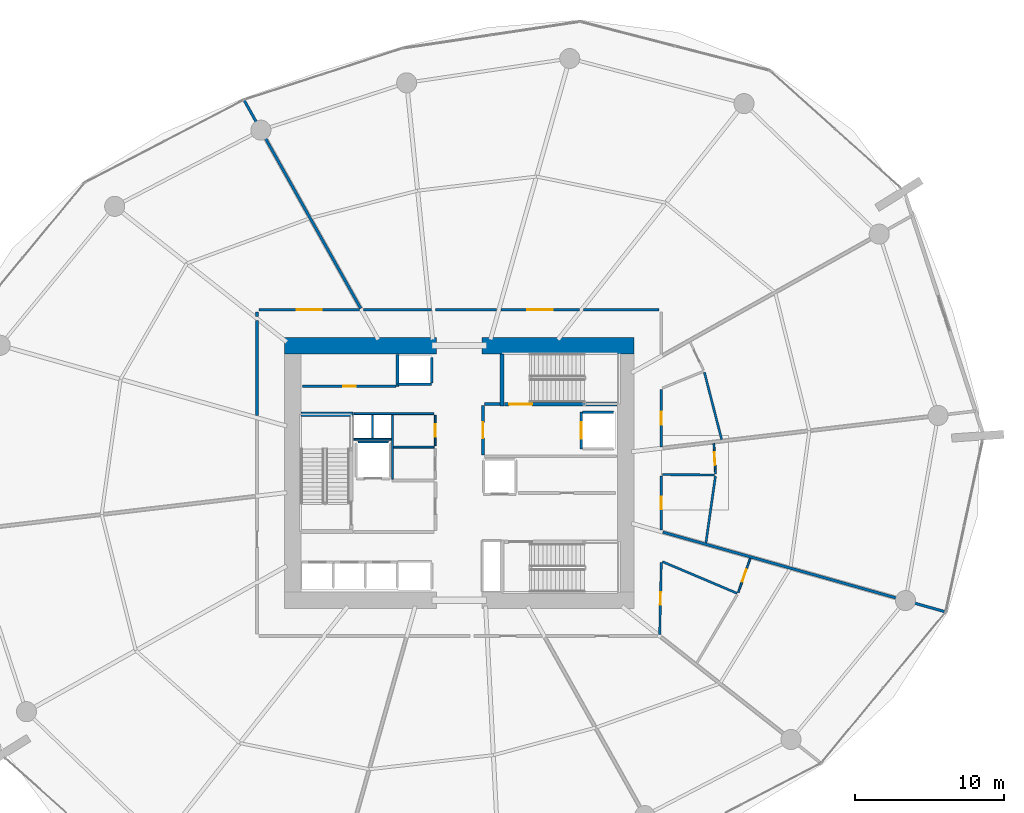
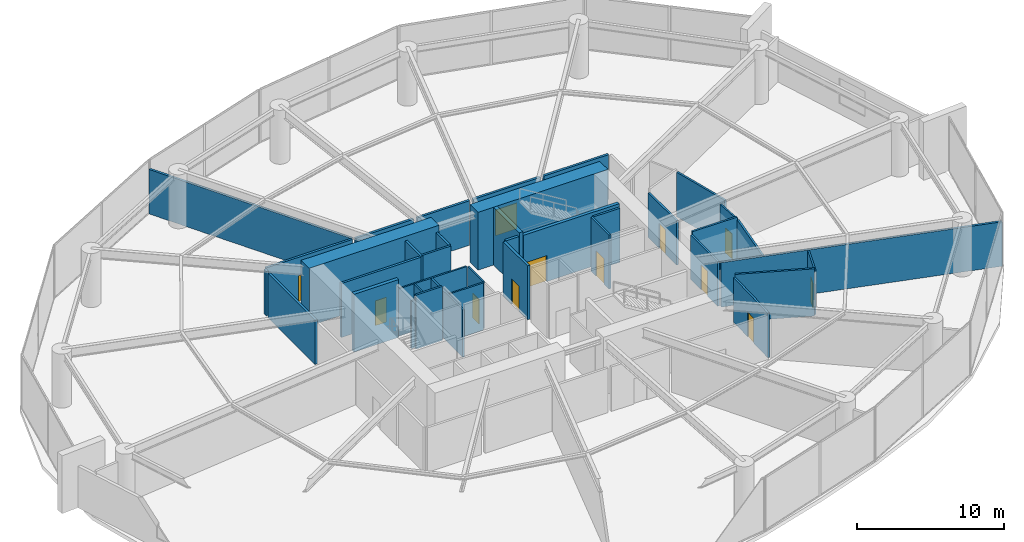
# One storey, part 19 of 22: 38 walls, 12 doors, 12 openings.
"""IFC4 building model written with IfcOpenShell, lengths in metres."""

from ifc_helpers import new_model, si_unit, direction, frame, frame_2d, origin, place, context, subcontext, project, spatial, rectangle, extrude, material, layer, layer_set, type_object, element, fill, save


model = new_model("IFC4")

# Units and contexts
model_context = context("Model", 3, precision=1e-05, world=origin(), true_north=direction((0.0, 1.0)))
body_context = subcontext(model_context, "Body", "Model", "MODEL_VIEW")
ifc_project = project(units=[si_unit("LENGTHUNIT", "METRE"), si_unit("AREAUNIT", "SQUARE_METRE"), si_unit("VOLUMEUNIT", "CUBIC_METRE"), si_unit("PLANEANGLEUNIT", "RADIAN"), si_unit("MASSUNIT", "GRAM", prefix="KILO")], contexts=[model_context])

# Site, building, storey
site_placement = place(None, origin())
site = spatial("IfcSite", under=ifc_project, at=site_placement, CompositionType="ELEMENT")
building_placement = place(site_placement, origin())
building = spatial("IfcBuilding", under=site, at=building_placement, Name="Kazma Halo Residences", CompositionType="ELEMENT")
storey_placement = place(building_placement, frame((0.0, 0.0, 12.0)))
storey = spatial("IfcBuildingStorey", under=building, at=storey_placement, Name="L02", CompositionType="ELEMENT", Elevation=12.0)

# Walls
ifc_material_1 = material(Name="Concrete C80/95", Category="concrete")
ifc_layer_1 = layer(ifc_material_1, 1.10009765625)
ifc_layer_set_1 = layer_set([ifc_layer_1], Name="Concrete C80/95")
wall_type_1 = type_object("IfcWallType", Name="WL-CORE-1100", PredefinedType="SHEAR", material=ifc_layer_set_1)
for number, where, z_axis, x_axis, name in (
    (1, (36.699951171875, 50.550048828125, 0.0), (0.0, 0.0, 1.0), (1.0, 0.0, 0.0), "L02 central core shear wall NW"),
    (2, (49.949951171875, 50.550048828125, 0.0), (0.0, 0.0, 1.0), (1.0, 0.0, 0.0), "L02 central core shear wall NE"),
):
    element("IfcWall", number, at=place(storey_placement, frame(where, z_axis=z_axis, x_axis=x_axis)), inside=storey, type_object=wall_type_1, Name=name, PredefinedType="SHEAR", context=body_context, shape_type="SweptSolid", body=[
        extrude(rectangle(XDim=10.199951171875, YDim=1.10009765625, at=frame_2d((5.10009765625, 0.0))), origin(), (0.0, 0.0, 1.0), 4.800048828125),
    ])
ifc_material_2 = material(Name="Concrete C60/75", Category="concrete")
ifc_layer_2 = layer(ifc_material_2, 0.280029296875)
ifc_layer_set_2 = layer_set([ifc_layer_2], Name="Concrete C60/75")
wall_type_2 = type_object("IfcWallType", Name="WL-CORE-ST-280", PredefinedType="SHEAR", material=ifc_layer_set_2)
for number, where, z_axis, x_axis, name in (
    (3, (37.800048828125, 45.93994140625, 0.0), (0.0, 0.0, 1.0), (1.0, 0.0, 0.0), "L02 stairwell bearing wall ST01-N"),
    (4, (51.31005859375, 46.5, 0.0), (0.0, 0.0, 1.0), (0.0, 1.0, 0.0), "L02 stairwell bearing wall ST02-W"),
):
    element("IfcWall", number, at=place(storey_placement, frame(where, z_axis=z_axis, x_axis=x_axis)), inside=storey, type_object=wall_type_2, Name=name, PredefinedType="SHEAR", context=body_context, shape_type="SweptSolid", body=[
        extrude(rectangle(XDim=3.5, YDim=0.280029296875, at=frame_2d((1.75, 0.0))), origin(), (0.0, 0.0, 1.0), 4.800048828125),
    ])
ifc_material_3 = material(Name="Acoustic Twin-Stud Gypsum")
ifc_layer_3 = layer(ifc_material_3, 0.179931640625)
ifc_layer_set_3 = layer_set([ifc_layer_3], Name="Acoustic Twin-Stud Gypsum")
wall_type_3 = type_object("IfcWallType", Name="WL-DEM-180", PredefinedType="PARTITIONING", material=ifc_layer_set_3)
wall_1_placement = place(storey_placement, frame((61.860107421875, 52.949951171875, 0.0), z_axis=(0.0, 0.0, 1.0), x_axis=(-1.0, 0.0, 0.0)))
element("IfcWall", 5, at=wall_1_placement, inside=storey, type_object=wall_type_3, Name="L02 Indoor Lap Pool Basin corridor wall", PredefinedType="PARTITIONING", context=body_context, shape_type="SweptSolid", body=[
    extrude(rectangle(XDim=5.087890625, YDim=0.179931640625, at=frame_2d((2.5439453125, 0.0))), origin(), (0.0, 0.0, 1.0), 3.693115234375),
])

# Wall, opening, door
wall_2_placement = place(storey_placement, frame((56.4921875, 52.949951171875, 0.0), z_axis=(0.0, 0.0, 1.0), x_axis=(-1.0, 0.0, 0.0)))
wall_2 = element("IfcWall", 6, at=wall_2_placement, inside=storey, type_object=wall_type_3, Name="L02 Indoor Lap Pool Basin corridor wall", PredefinedType="PARTITIONING", context=body_context, shape_type="SweptSolid", body=[
    extrude(rectangle(XDim=5.263916015625, YDim=0.179931640625, at=frame_2d((2.6318359375, 0.0))), origin(), (0.0, 0.0, 1.0), 3.693115234375),
])
opening_1_placement = place(wall_2_placement, frame((1.781982421875, 0.0, 0.0)))
opening_1 = element("IfcOpeningElement", 7, at=opening_1_placement, cuts=wall_2, Name="Opening DL-1800", PredefinedType="OPENING", context=body_context, shape_type="SweptSolid", body=[
    extrude(rectangle(XDim=1.699951171875, YDim=2.14990234375, at=frame_2d((0.85009765625, 1.074951171875))), frame((0.0, 0.099853515625, 0.0), z_axis=(0.0, -1.0, 0.0), x_axis=(1.0, 0.0, 0.0)), (0.0, 0.0, 1.0), 0.199951171875),
])
ifc_material_4 = material(Name="Glazed Aluminium Double Leaf", Category="aluminium")
door_type_1 = type_object("IfcDoorType", Name="DR-LGE-1800", OperationType="NOTDEFINED", PredefinedType="DOOR", material=ifc_material_4)
door_1_placement = place(opening_1_placement, origin())
door_1 = element("IfcDoor", 8, at=door_1_placement, inside=storey, type_object=door_type_1, Name="L02 Indoor Lap Pool Basin entrance door", OperationType="DOUBLE_DOOR_SINGLE_SWING", OverallHeight=2.14990234375, OverallWidth=1.699951171875, PredefinedType="DOOR", context=body_context, shape_type="SweptSolid", body=[
    extrude(rectangle(XDim=1.699951171875, YDim=2.14990234375, at=frame_2d((0.85009765625, 1.074951171875))), frame((0.0, 0.02490234375, 0.0), z_axis=(0.0, -1.0, 0.0), x_axis=(1.0, 0.0, 0.0)), (0.0, 0.0, 1.0), 0.050048828125),
])
fill(opening_1, door_1)

# Walls
wall_3_placement = place(storey_placement, frame((50.9482421875, 52.949951171875, 0.0), z_axis=(0.0, 0.0, 1.0), x_axis=(-1.0, 0.0, 0.0)))
element("IfcWall", 9, at=wall_3_placement, inside=storey, type_object=wall_type_3, Name="L02 Indoor Lap Pool Basin corridor wall", PredefinedType="PARTITIONING", context=body_context, shape_type="SweptSolid", body=[
    extrude(rectangle(XDim=4.104248046875, YDim=0.179931640625, at=frame_2d((2.05224609375, 0.0))), origin(), (0.0, 0.0, 1.0), 3.693115234375),
])
wall_4_placement = place(storey_placement, frame((46.56396484375, 52.949951171875, 0.0), z_axis=(0.0, 0.0, 1.0), x_axis=(-1.0, 0.0, 0.0)))
element("IfcWall", 10, at=wall_4_placement, inside=storey, type_object=wall_type_3, Name="L02 Indoor Lap Pool Basin corridor wall", PredefinedType="PARTITIONING", context=body_context, shape_type="SweptSolid", body=[
    extrude(rectangle(XDim=4.55615234375, YDim=0.179931640625, at=frame_2d((2.278076171875, 0.0))), origin(), (0.0, 0.0, 1.0), 3.693115234375),
])
wall_5_placement = place(storey_placement, frame((41.81396484375, 53.0458984375, 0.0), z_axis=(0.0, 0.0, 1.0), x_axis=(-0.48862053439, 0.872496403071, 0.0)))
element("IfcWall", 11, at=wall_5_placement, inside=storey, type_object=wall_type_3, Name="L02 radial partition wall 04", PredefinedType="PARTITIONING", context=body_context, shape_type="SweptSolid", body=[
    extrude(rectangle(XDim=16.0244140625, YDim=0.179931640625, at=frame_2d((8.01220703125, 0.0))), origin(), (0.0, 0.0, 1.0), 3.693115234375),
])

# Wall, opening, door
wall_6_placement = place(storey_placement, frame((41.727783203125, 52.949951171875, 0.0), z_axis=(0.0, 0.0, 1.0), x_axis=(-1.0, 0.0, 0.0)))
wall_6 = element("IfcWall", 12, at=wall_6_placement, inside=storey, type_object=wall_type_3, Name="L02 Hydrotherapy Spa Lounge corridor wall", PredefinedType="PARTITIONING", context=body_context, shape_type="SweptSolid", body=[
    extrude(rectangle(XDim=6.73779296875, YDim=0.179931640625, at=frame_2d((3.368896484375, 0.0))), origin(), (0.0, 0.0, 1.0), 3.693115234375),
])
opening_2_placement = place(wall_6_placement, frame((2.518798828125, 0.0, 0.0)))
opening_2 = element("IfcOpeningElement", 13, at=opening_2_placement, cuts=wall_6, Name="Opening DL-1800", PredefinedType="OPENING", context=body_context, shape_type="SweptSolid", body=[
    extrude(rectangle(XDim=1.699951171875, YDim=2.14990234375, at=frame_2d((0.85009765625, 1.074951171875))), frame((0.0, 0.099853515625, 0.0), z_axis=(0.0, -1.0, 0.0), x_axis=(1.0, 0.0, 0.0)), (0.0, 0.0, 1.0), 0.199951171875),
])
door_2_placement = place(opening_2_placement, origin())
door_2 = element("IfcDoor", 14, at=door_2_placement, inside=storey, type_object=door_type_1, Name="L02 Hydrotherapy Spa Lounge entrance door", OperationType="DOUBLE_DOOR_SINGLE_SWING", OverallHeight=2.14990234375, OverallWidth=1.699951171875, PredefinedType="DOOR", context=body_context, shape_type="SweptSolid", body=[
    extrude(rectangle(XDim=1.699951171875, YDim=2.14990234375, at=frame_2d((0.85009765625, 1.074951171875))), frame((0.0, 0.02490234375, 0.0), z_axis=(0.0, -1.0, 0.0), x_axis=(1.0, 0.0, 0.0)), (0.0, 0.0, 1.0), 0.050048828125),
])
fill(opening_2, door_2)

# Walls
wall_7_placement = place(storey_placement, frame((34.85009765625, 52.81005859375, 0.0), z_axis=(0.0, 0.0, 1.0), x_axis=(0.0, -1.0, 0.0)))
element("IfcWall", 15, at=wall_7_placement, inside=storey, type_object=wall_type_3, Name="L02 Hydrotherapy Spa Lounge corridor wall", PredefinedType="PARTITIONING", context=body_context, shape_type="SweptSolid", body=[
    extrude(rectangle(XDim=0.303466796875, YDim=0.179931640625, at=frame_2d((0.15185546875, 0.0))), origin(), (0.0, 0.0, 1.0), 3.693115234375),
])
wall_8_placement = place(storey_placement, frame((34.85009765625, 52.2265625, 0.0), z_axis=(0.0, 0.0, 1.0), x_axis=(0.0, -1.0, 0.0)))
element("IfcWall", 16, at=wall_8_placement, inside=storey, type_object=wall_type_3, Name="L02 Hydrotherapy Spa Lounge corridor wall", PredefinedType="PARTITIONING", context=body_context, shape_type="SweptSolid", body=[
    extrude(rectangle(XDim=6.3779296875, YDim=0.179931640625, at=frame_2d((3.18896484375, 0.0))), origin(), (0.0, 0.0, 1.0), 3.693115234375),
])
wall_9_placement = place(storey_placement, frame((62.10595703125, 38.021728515625, 0.0), z_axis=(0.0, 0.0, 1.0), x_axis=(0.962455233657, -0.271440459782, 0.0)))
element("IfcWall", 17, at=wall_9_placement, inside=storey, type_object=wall_type_3, Name="L02 radial partition wall 14", PredefinedType="PARTITIONING", context=body_context, shape_type="SweptSolid", body=[
    extrude(rectangle(XDim=19.71630859375, YDim=0.179931640625, at=frame_2d((9.858154296875, 0.0))), origin(), (0.0, 0.0, 1.0), 3.693115234375),
])
ifc_material_5 = material(Name="Fire-Rated Blockwork Masonry", Category="masonry")
ifc_layer_4 = layer(ifc_material_5, 0.199951171875)
ifc_layer_set_4 = layer_set([ifc_layer_4], Name="Fire-Rated Blockwork Masonry")
wall_type_4 = type_object("IfcWallType", Name="WL-FLB-200", PredefinedType="PARTITIONING", material=ifc_layer_set_4)
wall_10_placement = place(storey_placement, frame((46.580078125, 47.945068359375, 0.0), z_axis=(0.0, 0.0, 1.0), x_axis=(-1.0, 0.0, 0.0)))
element("IfcWall", 18, at=wall_10_placement, inside=storey, type_object=wall_type_4, Name="L02 lift shaft PX-01 front wall", PredefinedType="PARTITIONING", context=body_context, shape_type="SweptSolid", body=[
    extrude(rectangle(XDim=2.260009765625, YDim=0.159912109375, at=frame_2d((1.1298828125, 0.0))), origin(), (0.0, 0.0, 1.0), 4.47998046875),
])
wall_11_placement = place(storey_placement, frame((46.580078125, 48.044921875, 0.0), z_axis=(0.0, 0.0, 1.0), x_axis=(0.0, 1.0, 0.0)))
element("IfcWall", 19, at=wall_11_placement, inside=storey, type_object=wall_type_4, Name="L02 lift shaft PX-01 side wall E", PredefinedType="PARTITIONING", context=body_context, shape_type="SweptSolid", body=[
    extrude(rectangle(XDim=1.7099609375, YDim=0.159912109375, at=frame_2d((0.85498046875, 0.0))), origin(), (0.0, 0.0, 1.0), 4.47998046875),
])
wall_12_placement = place(storey_placement, frame((41.6201171875, 44.080078125, 0.0), z_axis=(0.0, 0.0, 1.0), x_axis=(1.0, 0.0, 0.0)))
element("IfcWall", 20, at=wall_12_placement, inside=storey, type_object=wall_type_4, Name="L02 lift shaft FL-01 side wall N", PredefinedType="PARTITIONING", context=body_context, shape_type="SweptSolid", body=[
    extrude(rectangle(XDim=2.059814453125, YDim=0.159912109375, at=frame_2d((1.02978515625, 0.0))), origin(), (0.0, 0.0, 1.0), 4.47998046875),
])

# Wall, opening, door
wall_13_placement = place(storey_placement, frame((56.6201171875, 46.080078125, 0.0), z_axis=(0.0, 0.0, 1.0), x_axis=(0.0, -1.0, 0.0)))
wall_13 = element("IfcWall", 21, at=wall_13_placement, inside=storey, type_object=wall_type_4, Name="L02 lift shaft FL-02 front wall", PredefinedType="PARTITIONING", context=body_context, shape_type="SweptSolid", body=[
    extrude(rectangle(XDim=2.4599609375, YDim=0.159912109375, at=frame_2d((1.22998046875, 0.0))), origin(), (0.0, 0.0, 1.0), 4.47998046875),
])
opening_3_placement = place(wall_13_placement, frame((0.679931640625, 0.0, 0.0)))
opening_3 = element("IfcOpeningElement", 22, at=opening_3_placement, cuts=wall_13, Name="Opening LD-FL-02", PredefinedType="OPENING", context=body_context, shape_type="SweptSolid", body=[
    extrude(rectangle(XDim=1.10009765625, YDim=2.10009765625, at=frame_2d((0.550048828125, 1.050048828125))), frame((0.0, 0.08984375, 0.0), z_axis=(0.0, -1.0, 0.0), x_axis=(1.0, 0.0, 0.0)), (0.0, 0.0, 1.0), 0.179931640625),
])
ifc_material_6 = material(Name="Stainless Steel Fire-Rated", Category="steel")
door_type_2 = type_object("IfcDoorType", Name="DR-LIFT-SLD-1100", OperationType="DOUBLE_DOOR_SLIDING", PredefinedType="DOOR", material=ifc_material_6)
door_3_placement = place(opening_3_placement, origin())
door_3 = element("IfcDoor", 23, at=door_3_placement, inside=storey, type_object=door_type_2, Name="L02 lift FL-02 sliding landing door", OperationType="DOUBLE_DOOR_SLIDING", OverallHeight=2.10009765625, OverallWidth=1.10009765625, PredefinedType="DOOR", context=body_context, shape_type="SweptSolid", body=[
    extrude(rectangle(XDim=1.10009765625, YDim=2.10009765625, at=frame_2d((0.550048828125, 1.050048828125))), frame((0.0, 0.02490234375, 0.0), z_axis=(0.0, -1.0, 0.0), x_axis=(1.0, 0.0, 0.0)), (0.0, 0.0, 1.0), 0.050048828125),
])
fill(opening_3, door_3)

# Wall
wall_14_placement = place(storey_placement, frame((56.719970703125, 46.080078125, 0.0), z_axis=(0.0, 0.0, 1.0), x_axis=(1.0, 0.0, 0.0)))
element("IfcWall", 24, at=wall_14_placement, inside=storey, type_object=wall_type_4, Name="L02 lift shaft FL-02 side wall N", PredefinedType="PARTITIONING", context=body_context, shape_type="SweptSolid", body=[
    extrude(rectangle(XDim=2.06005859375, YDim=0.159912109375, at=frame_2d((1.030029296875, 0.0))), origin(), (0.0, 0.0, 1.0), 4.47998046875),
])

# Wall, opening, door
wall_15_placement = place(storey_placement, frame((37.919921875, 47.820068359375, 0.0), z_axis=(0.0, 0.0, 1.0), x_axis=(1.0, 0.0, 0.0)))
wall_15 = element("IfcWall", 25, at=wall_15_placement, inside=storey, type_object=wall_type_4, Name="L02 core north reserve wall", PredefinedType="PARTITIONING", context=body_context, shape_type="SweptSolid", body=[
    extrude(rectangle(XDim=6.260009765625, YDim=0.179931640625, at=frame_2d((3.1298828125, 0.0))), origin(), (0.0, 0.0, 1.0), 4.47998046875),
])
opening_4_placement = place(wall_15_placement, frame((2.705078125, 0.0, 0.0)))
opening_4 = element("IfcOpeningElement", 26, at=opening_4_placement, cuts=wall_15, Name="Opening DS-850", PredefinedType="OPENING", context=body_context, shape_type="SweptSolid", body=[
    extrude(rectangle(XDim=0.85009765625, YDim=2.06005859375, at=frame_2d((0.425048828125, 1.030029296875))), frame((0.0, 0.099853515625, 0.0), z_axis=(0.0, -1.0, 0.0), x_axis=(1.0, 0.0, 0.0)), (0.0, 0.0, 1.0), 0.199951171875),
])
ifc_material_7 = material(Name="Painted Steel Access Leaf", Category="steel")
door_type_3 = type_object("IfcDoorType", Name="DR-SVC-850", OperationType="NOTDEFINED", PredefinedType="DOOR", material=ifc_material_7)
door_4_placement = place(opening_4_placement, origin())
door_4 = element("IfcDoor", 27, at=door_4_placement, inside=storey, type_object=door_type_3, Name="L02 core north reserve door", OperationType="SINGLE_SWING_RIGHT", OverallHeight=2.06005859375, OverallWidth=0.85009765625, PredefinedType="DOOR", context=body_context, shape_type="SweptSolid", body=[
    extrude(rectangle(XDim=0.85009765625, YDim=2.06005859375, at=frame_2d((0.425048828125, 1.030029296875))), frame((0.0, 0.02490234375, 0.0), z_axis=(0.0, -1.0, 0.0), x_axis=(1.0, 0.0, 0.0)), (0.0, 0.0, 1.0), 0.050048828125),
])
fill(opening_4, door_4)

# Walls
wall_16_placement = place(storey_placement, frame((44.280029296875, 47.820068359375, 0.0), z_axis=(0.0, 0.0, 1.0), x_axis=(0.0, 1.0, 0.0)))
element("IfcWall", 28, at=wall_16_placement, inside=storey, type_object=wall_type_4, Name="L02 PX-01 hoistway west wall", PredefinedType="PARTITIONING", context=body_context, shape_type="SweptSolid", body=[
    extrude(rectangle(XDim=2.1298828125, YDim=0.179931640625, at=frame_2d((1.06494140625, 0.0))), origin(), (0.0, 0.0, 1.0), 4.47998046875),
])
wall_17_placement = place(storey_placement, frame((50.139892578125, 46.6201171875, 0.0), z_axis=(0.0, 0.0, 1.0), x_axis=(1.0, 0.0, 0.0)))
element("IfcWall", 29, at=wall_17_placement, inside=storey, type_object=wall_type_4, Name="L02 east firefighting lobby north closure wall", PredefinedType="PARTITIONING", context=body_context, shape_type="SweptSolid", body=[
    extrude(rectangle(XDim=1.02001953125, YDim=0.199951171875, at=frame_2d((0.510009765625, 0.0))), origin(), (0.0, 0.0, 1.0), 4.47998046875),
])

# Wall, opening, door
wall_18_placement = place(storey_placement, frame((50.02001953125, 43.219970703125, 0.0), z_axis=(0.0, 0.0, 1.0), x_axis=(0.0, 1.0, 0.0)))
wall_18 = element("IfcWall", 30, at=wall_18_placement, inside=storey, type_object=wall_type_4, Name="L02 east firefighting lobby smoke wall", PredefinedType="PARTITIONING", context=body_context, shape_type="SweptSolid", body=[
    extrude(rectangle(XDim=3.300048828125, YDim=0.199951171875, at=frame_2d((1.64990234375, 0.0))), origin(), (0.0, 0.0, 1.0), 4.47998046875),
])
opening_5_placement = place(wall_18_placement, frame((1.125, 0.0, 0.0)))
opening_5 = element("IfcOpeningElement", 31, at=opening_5_placement, cuts=wall_18, Name="Opening D-FLE", PredefinedType="OPENING", context=body_context, shape_type="SweptSolid", body=[
    extrude(rectangle(XDim=1.050048828125, YDim=2.10009765625, at=frame_2d((0.52490234375, 1.050048828125))), frame((0.0, 0.10986328125, 0.0), z_axis=(0.0, -1.0, 0.0), x_axis=(1.0, 0.0, 0.0)), (0.0, 0.0, 1.0), 0.219970703125),
])
ifc_material_8 = material(Name="Fire-Rated Steel Leaf", Category="steel")
door_type_4 = type_object("IfcDoorType", Name="DR-FD90-1050", OperationType="NOTDEFINED", PredefinedType="DOOR", material=ifc_material_8)
door_5_placement = place(opening_5_placement, origin())
door_5 = element("IfcDoor", 32, at=door_5_placement, inside=storey, type_object=door_type_4, Name="L02 east firefighting lobby smoke door", OperationType="SINGLE_SWING_RIGHT", OverallHeight=2.10009765625, OverallWidth=1.050048828125, PredefinedType="DOOR", context=body_context, shape_type="SweptSolid", body=[
    extrude(rectangle(XDim=1.050048828125, YDim=2.10009765625, at=frame_2d((0.52490234375, 1.050048828125))), frame((0.0, 0.02490234375, 0.0), z_axis=(0.0, -1.0, 0.0), x_axis=(1.0, 0.0, 0.0)), (0.0, 0.0, 1.0), 0.050048828125),
])
fill(opening_5, door_5)

# Walls
ifc_material_9 = material(Name="Gypsum Plasterboard Partition")
ifc_layer_5 = layer(ifc_material_9, 0.125)
ifc_layer_set_5 = layer_set([ifc_layer_5], Name="Gypsum Plasterboard Partition")
wall_type_5 = type_object("IfcWallType", Name="WL-PART-125", PredefinedType="PARTITIONING", material=ifc_layer_set_5)
wall_19_placement = place(storey_placement, frame((41.360107421875, 45.97998046875, 0.0), z_axis=(0.0, 0.0, 1.0), x_axis=(1.0, 0.0, 0.0)))
element("IfcWall", 33, at=wall_19_placement, inside=storey, type_object=wall_type_5, Name="L02 core north riser wall", PredefinedType="PARTITIONING", context=body_context, shape_type="SweptSolid", body=[
    extrude(rectangle(XDim=5.35986328125, YDim=0.125, at=frame_2d((2.679931640625, 0.0))), origin(), (0.0, 0.0, 1.0), 3.919921875),
])
wall_20_placement = place(storey_placement, frame((41.360107421875, 44.260009765625, 0.0), z_axis=(0.0, 0.0, 1.0), x_axis=(1.0, 0.0, 0.0)))
element("IfcWall", 34, at=wall_20_placement, inside=storey, type_object=wall_type_5, Name="L02 core riser south wall", PredefinedType="PARTITIONING", context=body_context, shape_type="SweptSolid", body=[
    extrude(rectangle(XDim=2.5, YDim=0.125, at=frame_2d((1.25, 0.0))), origin(), (0.0, 0.0, 1.0), 3.919921875),
])
wall_21_placement = place(storey_placement, frame((42.60009765625, 44.35009765625, 0.0), z_axis=(0.0, 0.0, 1.0), x_axis=(0.0, 1.0, 0.0)))
element("IfcWall", 35, at=wall_21_placement, inside=storey, type_object=wall_type_5, Name="L02 core riser divider wall", PredefinedType="PARTITIONING", context=body_context, shape_type="SweptSolid", body=[
    extrude(rectangle(XDim=1.5498046875, YDim=0.125, at=frame_2d((0.77490234375, 0.0))), origin(), (0.0, 0.0, 1.0), 3.919921875),
])
wall_22_placement = place(storey_placement, frame((43.949951171875, 41.580078125, 0.0), z_axis=(0.0, 0.0, 1.0), x_axis=(0.0, 1.0, 0.0)))
element("IfcWall", 36, at=wall_22_placement, inside=storey, type_object=wall_type_5, Name="L02 core service west wall", PredefinedType="PARTITIONING", context=body_context, shape_type="SweptSolid", body=[
    extrude(rectangle(XDim=4.31982421875, YDim=0.125, at=frame_2d((2.159912109375, 0.0))), origin(), (0.0, 0.0, 1.0), 3.919921875),
])
wall_23_placement = place(storey_placement, frame((44.030029296875, 43.72998046875, 0.0), z_axis=(0.0, 0.0, 1.0), x_axis=(1.0, 0.0, 0.0)))
element("IfcWall", 37, at=wall_23_placement, inside=storey, type_object=wall_type_5, Name="L02 switch/IDF divider", PredefinedType="PARTITIONING", context=body_context, shape_type="SweptSolid", body=[
    extrude(rectangle(XDim=2.7099609375, YDim=0.125, at=frame_2d((1.35498046875, 0.0))), origin(), (0.0, 0.0, 1.0), 3.919921875),
])

# Wall, opening, door
wall_24_placement = place(storey_placement, frame((46.820068359375, 43.830078125, 0.0), z_axis=(0.0, 0.0, 1.0), x_axis=(0.0, 1.0, 0.0)))
wall_24 = element("IfcWall", 38, at=wall_24_placement, inside=storey, type_object=wall_type_5, Name="L02 telecom IDF room east wall", PredefinedType="PARTITIONING", context=body_context, shape_type="SweptSolid", body=[
    extrude(rectangle(XDim=2.0498046875, YDim=0.125, at=frame_2d((1.02490234375, 0.0))), origin(), (0.0, 0.0, 1.0), 3.919921875),
])
opening_6_placement = place(wall_24_placement, frame((0.60009765625, 0.0, 0.0)))
opening_6 = element("IfcOpeningElement", 39, at=opening_6_placement, cuts=wall_24, Name="Opening DS-850", PredefinedType="OPENING", context=body_context, shape_type="SweptSolid", body=[
    extrude(rectangle(XDim=0.85009765625, YDim=2.06005859375, at=frame_2d((0.425048828125, 1.030029296875))), frame((0.0, 0.072509765625, 0.0), z_axis=(0.0, -1.0, 0.0), x_axis=(1.0, 0.0, 0.0)), (0.0, 0.0, 1.0), 0.14501953125),
])
door_6_placement = place(opening_6_placement, origin())
door_6 = element("IfcDoor", 40, at=door_6_placement, inside=storey, type_object=door_type_3, Name="L02 telecom IDF room door", OperationType="SINGLE_SWING_RIGHT", OverallHeight=2.06005859375, OverallWidth=0.85009765625, PredefinedType="DOOR", context=body_context, shape_type="SweptSolid", body=[
    extrude(rectangle(XDim=0.85009765625, YDim=2.06005859375, at=frame_2d((0.425048828125, 1.030029296875))), frame((0.0, 0.02490234375, 0.0), z_axis=(0.0, -1.0, 0.0), x_axis=(1.0, 0.0, 0.0)), (0.0, 0.0, 1.0), 0.050048828125),
])
fill(opening_6, door_6)

wall_25_placement = place(storey_placement, frame((67.168212890625, 33.97021484375, 0.0), z_axis=(0.0, 0.0, 1.0), x_axis=(0.331316814656, 0.943519564358, 0.0)))
wall_25 = element("IfcWall", 41, at=wall_25_placement, inside=storey, type_object=wall_type_5, Name="L02 supply store wall", PredefinedType="PARTITIONING", context=body_context, shape_type="SweptSolid", body=[
    extrude(rectangle(XDim=2.43017578125, YDim=0.125, at=frame_2d((1.215087890625, 0.0))), origin(), (0.0, 0.0, 1.0), 3.693115234375),
])
opening_7_placement = place(wall_25_placement, frame((0.790283203125, 0.0, 0.0)))
opening_7 = element("IfcOpeningElement", 42, at=opening_7_placement, cuts=wall_25, Name="Opening DS-850", PredefinedType="OPENING", context=body_context, shape_type="SweptSolid", body=[
    extrude(rectangle(XDim=0.85009765625, YDim=2.06005859375, at=frame_2d((0.425048828125, 1.030029296875))), frame((0.0, 0.072509765625, 0.0), z_axis=(0.0, -1.0, 0.0), x_axis=(1.0, 0.0, 0.0)), (0.0, 0.0, 1.0), 0.14501953125),
])
door_7_placement = place(opening_7_placement, origin())
door_7 = element("IfcDoor", 43, at=door_7_placement, inside=storey, type_object=door_type_3, Name="L02 supply store door", OperationType="SINGLE_SWING_RIGHT", OverallHeight=2.06005859375, OverallWidth=0.85009765625, PredefinedType="DOOR", context=body_context, shape_type="SweptSolid", body=[
    extrude(rectangle(XDim=0.85009765625, YDim=2.06005859375, at=frame_2d((0.425048828125, 1.030029296875))), frame((0.0, 0.02490234375, 0.0), z_axis=(0.0, -1.0, 0.0), x_axis=(1.0, 0.0, 0.0)), (0.0, 0.0, 1.0), 0.050048828125),
])
fill(opening_7, door_7)

wall_26_placement = place(storey_placement, frame((65.64111328125, 41.94140625, 0.0), z_axis=(0.0, 0.0, 1.0), x_axis=(-0.054918793983, 0.998490824228, 0.0)))
wall_26 = element("IfcWall", 44, at=wall_26_placement, inside=storey, type_object=wall_type_5, Name="L02 supply store wall", PredefinedType="PARTITIONING", context=body_context, shape_type="SweptSolid", body=[
    extrude(rectangle(XDim=2.0361328125, YDim=0.125, at=frame_2d((1.01806640625, 0.0))), origin(), (0.0, 0.0, 1.0), 3.693115234375),
])
opening_8_placement = place(wall_26_placement, frame((0.593017578125, 0.0, 0.0)))
opening_8 = element("IfcOpeningElement", 45, at=opening_8_placement, cuts=wall_26, Name="Opening DS-850", PredefinedType="OPENING", context=body_context, shape_type="SweptSolid", body=[
    extrude(rectangle(XDim=0.85009765625, YDim=2.06005859375, at=frame_2d((0.425048828125, 1.030029296875))), frame((0.0, 0.072509765625, 0.0), z_axis=(0.0, -1.0, 0.0), x_axis=(1.0, 0.0, 0.0)), (0.0, 0.0, 1.0), 0.14501953125),
])
door_8_placement = place(opening_8_placement, origin())
door_8 = element("IfcDoor", 46, at=door_8_placement, inside=storey, type_object=door_type_3, Name="L02 supply store door", OperationType="SINGLE_SWING_LEFT", OverallHeight=2.06005859375, OverallWidth=0.85009765625, PredefinedType="DOOR", context=body_context, shape_type="SweptSolid", body=[
    extrude(rectangle(XDim=0.85009765625, YDim=2.06005859375, at=frame_2d((0.425048828125, 1.030029296875))), frame((0.0, 0.02490234375, 0.0), z_axis=(0.0, -1.0, 0.0), x_axis=(1.0, 0.0, 0.0)), (0.0, 0.0, 1.0), 0.050048828125),
])
fill(opening_8, door_8)

ifc_material_10 = material(Name="Concrete C50/60", Category="concrete")
ifc_layer_6 = layer(ifc_material_10, 0.25)
ifc_layer_set_6 = layer_set([ifc_layer_6], Name="Concrete C50/60")
wall_type_6 = type_object("IfcWallType", Name="WL-SHF-250", PredefinedType="SOLIDWALL", material=ifc_layer_set_6)
wall_27_placement = place(storey_placement, frame((51.47998046875, 46.6201171875, 0.0), z_axis=(0.0, 0.0, 1.0), x_axis=(1.0, 0.0, 0.0)))
wall_27 = element("IfcWall", 47, at=wall_27_placement, inside=storey, type_object=wall_type_6, Name="L02 exit stair ST-02 enclosure wall", PredefinedType="SOLIDWALL", context=body_context, shape_type="SweptSolid", body=[
    extrude(rectangle(XDim=7.5400390625, YDim=0.25, at=frame_2d((3.77001953125, 0.0))), origin(), (0.0, 0.0, 1.0), 4.47998046875),
])
opening_9_placement = place(wall_27_placement, frame((0.300048828125, 0.0, 0.0)))
opening_9 = element("IfcOpeningElement", 48, at=opening_9_placement, cuts=wall_27, Name="Opening D-ST2", PredefinedType="OPENING", context=body_context, shape_type="SweptSolid", body=[
    extrude(rectangle(XDim=1.550048828125, YDim=2.14990234375, at=frame_2d((0.77490234375, 1.074951171875))), frame((0.0, 0.135009765625, 0.0), z_axis=(0.0, -1.0, 0.0), x_axis=(1.0, 0.0, 0.0)), (0.0, 0.0, 1.0), 0.27001953125),
])
ifc_material_11 = material(Name="Fire-Rated Double Steel Leaf", Category="steel")
door_type_5 = type_object("IfcDoorType", Name="DR-FD90-1550", OperationType="NOTDEFINED", PredefinedType="DOOR", material=ifc_material_11)
door_9_placement = place(opening_9_placement, origin())
door_9 = element("IfcDoor", 49, at=door_9_placement, inside=storey, type_object=door_type_5, Name="L02 exit stair ST-02 fire door", OperationType="DOUBLE_DOOR_SINGLE_SWING", OverallHeight=2.14990234375, OverallWidth=1.550048828125, PredefinedType="DOOR", context=body_context, shape_type="SweptSolid", body=[
    extrude(rectangle(XDim=1.550048828125, YDim=2.14990234375, at=frame_2d((0.77490234375, 1.074951171875))), frame((0.0, 0.02490234375, 0.0), z_axis=(0.0, -1.0, 0.0), x_axis=(1.0, 0.0, 0.0)), (0.0, 0.0, 1.0), 0.050048828125),
])
fill(opening_9, door_9)

ifc_material_12 = material(Name="Moisture-Resistant Gypsum")
ifc_layer_7 = layer(ifc_material_12, 0.14990234375)
ifc_layer_set_7 = layer_set([ifc_layer_7], Name="Moisture-Resistant Gypsum")
wall_type_7 = type_object("IfcWallType", Name="WL-WET-150", PredefinedType="PARTITIONING", material=ifc_layer_set_7)
wall_28_placement = place(storey_placement, frame((61.89208984375, 31.14990234375, 0.0), z_axis=(0.0, 0.0, 1.0), x_axis=(0.021928973177, 0.999759531155, 0.0)))
wall_28 = element("IfcWall", 50, at=wall_28_placement, inside=storey, type_object=wall_type_7, Name="L02 East Changing and WC corridor wall", PredefinedType="PARTITIONING", context=body_context, shape_type="SweptSolid", body=[
    extrude(rectangle(XDim=4.843017578125, YDim=0.14990234375, at=frame_2d((2.42138671875, 0.0))), origin(), (0.0, 0.0, 1.0), 3.693115234375),
])
opening_10_placement = place(wall_28_placement, frame((1.99658203125, 0.0, 0.0)))
opening_10 = element("IfcOpeningElement", 51, at=opening_10_placement, cuts=wall_28, Name="Opening DB-900", PredefinedType="OPENING", context=body_context, shape_type="SweptSolid", body=[
    extrude(rectangle(XDim=0.85009765625, YDim=2.06005859375, at=frame_2d((0.425048828125, 1.030029296875))), frame((0.0, 0.0849609375, 0.0), z_axis=(0.0, -1.0, 0.0), x_axis=(1.0, 0.0, 0.0)), (0.0, 0.0, 1.0), 0.169921875),
])
ifc_material_13 = material(Name="Moisture-Sealed Timber Leaf", Category="wood")
door_type_6 = type_object("IfcDoorType", Name="DR-BTH-900", OperationType="NOTDEFINED", PredefinedType="DOOR", material=ifc_material_13)
door_10_placement = place(opening_10_placement, origin())
door_10 = element("IfcDoor", 52, at=door_10_placement, inside=storey, type_object=door_type_6, Name="L02 East Changing and WC door", OperationType="SINGLE_SWING_LEFT", OverallHeight=2.06005859375, OverallWidth=0.85009765625, PredefinedType="DOOR", context=body_context, shape_type="SweptSolid", body=[
    extrude(rectangle(XDim=0.85009765625, YDim=2.06005859375, at=frame_2d((0.425048828125, 1.030029296875))), frame((0.0, 0.02490234375, 0.0), z_axis=(0.0, -1.0, 0.0), x_axis=(1.0, 0.0, 0.0)), (0.0, 0.0, 1.0), 0.050048828125),
])
fill(opening_10, door_10)

# Wall
wall_29_placement = place(storey_placement, frame((62.07373046875, 36.04052734375, 0.0), z_axis=(0.0, 0.0, 1.0), x_axis=(0.920841540816, -0.38993699069, 0.0)))
element("IfcWall", 53, at=wall_29_placement, inside=storey, type_object=wall_type_7, Name="L02 East Changing and WC side wall", PredefinedType="PARTITIONING", context=body_context, shape_type="SweptSolid", body=[
    extrude(rectangle(XDim=5.443359375, YDim=0.14990234375, at=frame_2d((2.7216796875, 0.0))), origin(), (0.0, 0.0, 1.0), 3.919921875),
])

# Wall, opening, door
wall_30_placement = place(storey_placement, frame((62.0, 38.151611328125, 0.0), z_axis=(0.0, 0.0, 1.0), x_axis=(0.0, 1.0, 0.0)))
wall_30 = element("IfcWall", 54, at=wall_30_placement, inside=storey, type_object=wall_type_7, Name="L02 West Changing and WC corridor wall", PredefinedType="PARTITIONING", context=body_context, shape_type="SweptSolid", body=[
    extrude(rectangle(XDim=3.658447265625, YDim=0.14990234375, at=frame_2d((1.8291015625, 0.0))), origin(), (0.0, 0.0, 1.0), 3.693115234375),
])
opening_11_placement = place(wall_30_placement, frame((1.404296875, 0.0, 0.0)))
opening_11 = element("IfcOpeningElement", 55, at=opening_11_placement, cuts=wall_30, Name="Opening DB-900", PredefinedType="OPENING", context=body_context, shape_type="SweptSolid", body=[
    extrude(rectangle(XDim=0.85009765625, YDim=2.06005859375, at=frame_2d((0.425048828125, 1.030029296875))), frame((0.0, 0.0849609375, 0.0), z_axis=(0.0, -1.0, 0.0), x_axis=(1.0, 0.0, 0.0)), (0.0, 0.0, 1.0), 0.169921875),
])
door_11_placement = place(opening_11_placement, origin())
door_11 = element("IfcDoor", 56, at=door_11_placement, inside=storey, type_object=door_type_6, Name="L02 West Changing and WC door", OperationType="SINGLE_SWING_RIGHT", OverallHeight=2.06005859375, OverallWidth=0.85009765625, PredefinedType="DOOR", context=body_context, shape_type="SweptSolid", body=[
    extrude(rectangle(XDim=0.85009765625, YDim=2.06005859375, at=frame_2d((0.425048828125, 1.030029296875))), frame((0.0, 0.02490234375, 0.0), z_axis=(0.0, -1.0, 0.0), x_axis=(1.0, 0.0, 0.0)), (0.0, 0.0, 1.0), 0.050048828125),
])
fill(opening_11, door_11)

# Walls
wall_31_placement = place(storey_placement, frame((62.080078125, 41.889404296875, 0.0), z_axis=(0.0, 0.0, 1.0), x_axis=(0.999969031596, -0.007869933178, 0.0)))
element("IfcWall", 57, at=wall_31_placement, inside=storey, type_object=wall_type_7, Name="L02 West Changing and WC side wall", PredefinedType="PARTITIONING", context=body_context, shape_type="SweptSolid", body=[
    extrude(rectangle(XDim=3.50537109375, YDim=0.14990234375, at=frame_2d((1.752685546875, 0.0))), origin(), (0.0, 0.0, 1.0), 3.919921875),
])
wall_32_placement = place(storey_placement, frame((64.99755859375, 37.30908203125, 0.0), z_axis=(0.0, 0.0, 1.0), x_axis=(0.140922059176, 0.990020693338, 0.0)))
element("IfcWall", 58, at=wall_32_placement, inside=storey, type_object=wall_type_7, Name="L02 West Changing and WC back wall", PredefinedType="PARTITIONING", context=body_context, shape_type="SweptSolid", body=[
    extrude(rectangle(XDim=4.518310546875, YDim=0.14990234375, at=frame_2d((2.25927734375, 0.0))), origin(), (0.0, 0.0, 1.0), 3.693115234375),
])

# Wall, opening, door
wall_33_placement = place(storey_placement, frame((62.0, 43.757080078125, 0.0), z_axis=(0.0, 0.0, 1.0), x_axis=(0.0, 1.0, 0.0)))
wall_33 = element("IfcWall", 59, at=wall_33_placement, inside=storey, type_object=wall_type_7, Name="L02 Spa Accessible WC corridor wall", PredefinedType="PARTITIONING", context=body_context, shape_type="SweptSolid", body=[
    extrude(rectangle(XDim=3.83349609375, YDim=0.14990234375, at=frame_2d((1.916748046875, 0.0))), origin(), (0.0, 0.0, 1.0), 3.693115234375),
])
opening_12_placement = place(wall_33_placement, frame((1.49169921875, 0.0, 0.0)))
opening_12 = element("IfcOpeningElement", 60, at=opening_12_placement, cuts=wall_33, Name="Opening DB-900", PredefinedType="OPENING", context=body_context, shape_type="SweptSolid", body=[
    extrude(rectangle(XDim=0.85009765625, YDim=2.06005859375, at=frame_2d((0.425048828125, 1.030029296875))), frame((0.0, 0.0849609375, 0.0), z_axis=(0.0, -1.0, 0.0), x_axis=(1.0, 0.0, 0.0)), (0.0, 0.0, 1.0), 0.169921875),
])
door_12_placement = place(opening_12_placement, origin())
door_12 = element("IfcDoor", 61, at=door_12_placement, inside=storey, type_object=door_type_6, Name="L02 Spa Accessible WC door", OperationType="SINGLE_SWING_LEFT", OverallHeight=2.06005859375, OverallWidth=0.85009765625, PredefinedType="DOOR", context=body_context, shape_type="SweptSolid", body=[
    extrude(rectangle(XDim=0.85009765625, YDim=2.06005859375, at=frame_2d((0.425048828125, 1.030029296875))), frame((0.0, 0.02490234375, 0.0), z_axis=(0.0, -1.0, 0.0), x_axis=(1.0, 0.0, 0.0)), (0.0, 0.0, 1.0), 0.050048828125),
])
fill(opening_12, door_12)

# Wall
wall_34_placement = place(storey_placement, frame((66.053955078125, 44.23681640625, 0.0), z_axis=(0.0, 0.0, 1.0), x_axis=(-0.248710144761, 0.968577959636, 0.0)))
element("IfcWall", 62, at=wall_34_placement, inside=storey, type_object=wall_type_7, Name="L02 Spa Accessible WC back wall", PredefinedType="PARTITIONING", context=body_context, shape_type="SweptSolid", body=[
    extrude(rectangle(XDim=4.666748046875, YDim=0.14990234375, at=frame_2d((2.33349609375, 0.0))), origin(), (0.0, 0.0, 1.0), 3.693115234375),
])

save(model, "model.ifc")
